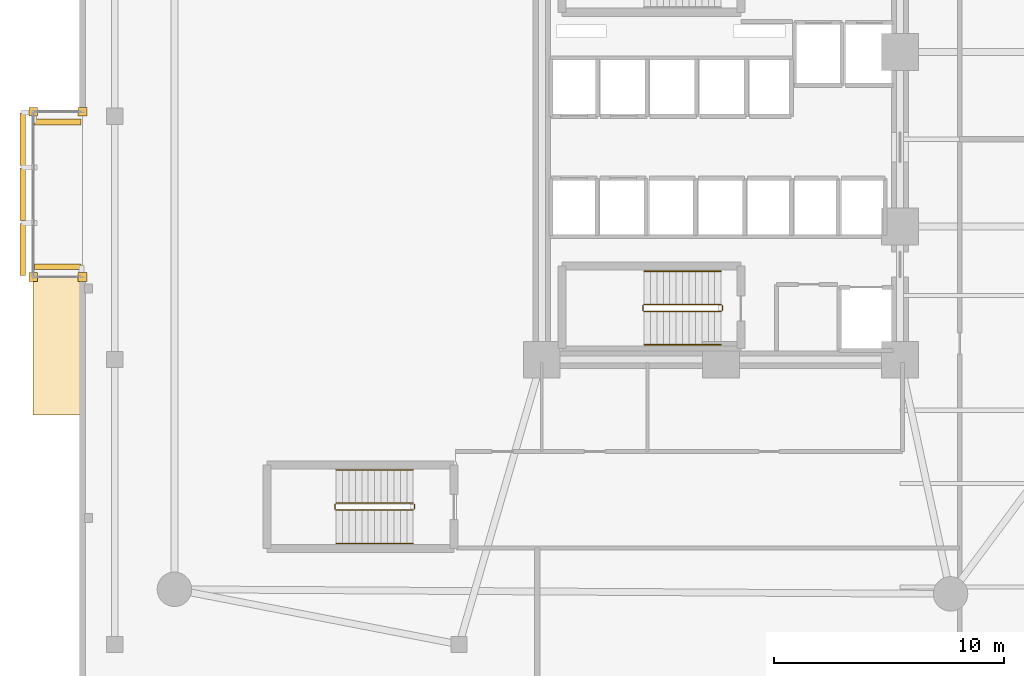
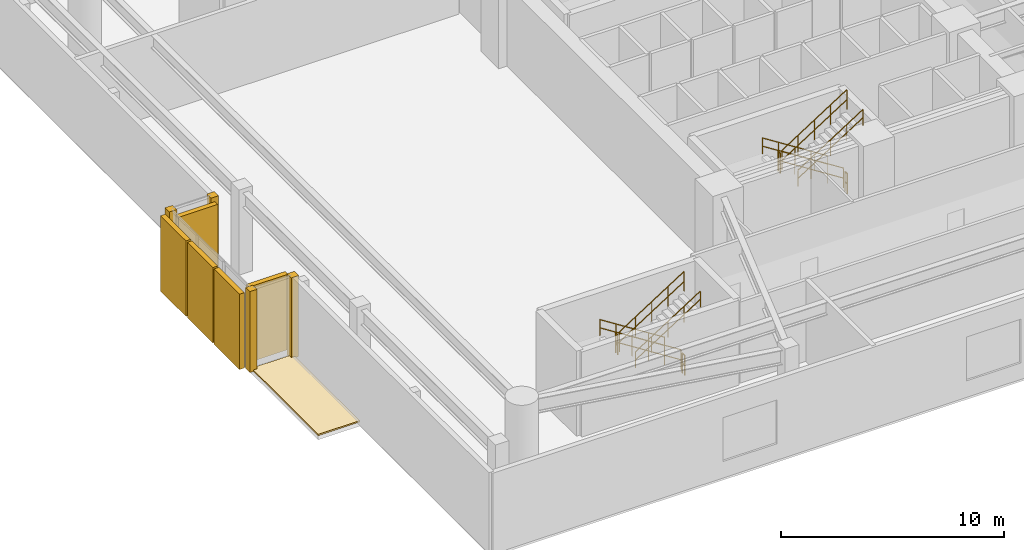
# One storey, part 14 of 16: 12 railings, 5 coverings, 5 shading devices.
"""IFC4 building model written with IfcOpenShell, lengths in metres."""

from ifc_helpers import new_model, si_unit, direction, frame, origin, origin_2d, place, context, subcontext, project, spatial, polyline, rectangle, circle, outline, extrude, material, layer, layer_set, type_object, element, save


model = new_model("IFC4")

# Units and contexts
model_context = context("Model", 3, precision=1e-05, world=origin(), true_north=direction((0.0, 1.0)))
body_context = subcontext(model_context, "Body", "Model", "MODEL_VIEW")
ifc_project = project(units=[si_unit("LENGTHUNIT", "METRE"), si_unit("AREAUNIT", "SQUARE_METRE"), si_unit("VOLUMEUNIT", "CUBIC_METRE"), si_unit("PLANEANGLEUNIT", "RADIAN"), si_unit("MASSUNIT", "GRAM", prefix="KILO")], contexts=[model_context])

# Site, building, storey
site_placement = place(None, origin())
site = spatial("IfcSite", under=ifc_project, at=site_placement, CompositionType="ELEMENT")
building_placement = place(site_placement, origin())
building = spatial("IfcBuilding", under=site, at=building_placement, Name="An Khanh Terracotta Commons", CompositionType="ELEMENT")
storey_placement = place(building_placement, frame((0.0, 0.0, 10.050048828125)))
storey = spatial("IfcBuildingStorey", under=building, at=storey_placement, Name="L03", CompositionType="ELEMENT", Elevation=10.050048828125)

# Coverings
ifc_material_1 = material(Name="Fired Terracotta Rainscreen Cladding", Category="masonry")
ifc_layer_1 = layer(ifc_material_1, 0.080078125, Name="Fired Terracotta Rainscreen Cladding")
ifc_layer_set_1 = layer_set([ifc_layer_1], Name="Fired Terracotta Rainscreen Cladding")
covering_type_1 = type_object("IfcCoveringType", Name="COV-JAMB-TERRA", PredefinedType="CLADDING", material=ifc_layer_set_1)
for number, where, z_axis, x_axis, name in (
    (1, (-0.550048828125, 25.199951171875, 0.0), (0.0, 0.0, 1.0), (1.0, 0.0, 0.0), "L03 CW-04 Curtain-Wall Jamb Closure JA"),
    (2, (-0.550048828125, 18.0, 0.0), (0.0, 0.0, 1.0), (1.0, 0.0, 0.0), "L03 CW-04 Curtain-Wall Jamb Closure JB"),
    (3, (1.60009765625, 18.0, 0.0), (0.0, 0.0, 1.0), (1.0, 0.0, 0.0), "L03 CW-04 Curtain-Wall Jamb Closure JA"),
    (4, (1.60009765625, 25.199951171875, 0.0), (0.0, 0.0, 1.0), (1.0, 0.0, 0.0), "L03 CW-04 Curtain-Wall Jamb Closure JB"),
):
    element("IfcCovering", number, at=place(storey_placement, frame(where, z_axis=z_axis, x_axis=x_axis)), inside=storey, type_object=covering_type_1, Name=name, PredefinedType="CLADDING", context=body_context, shape_type="SweptSolid", body=[
        extrude(rectangle(XDim=0.3798828125, YDim=0.3798828125, at=origin_2d()), origin(), (0.0, 0.0, 1.0), 4.429931640625),
    ])
ifc_material_2 = material(Name="Planted Garden Waterproofing Membrane")
ifc_layer_2 = layer(ifc_material_2, 0.080078125, Name="Planted Garden Waterproofing Membrane")
ifc_layer_set_2 = layer_set([ifc_layer_2], Name="Planted Garden Waterproofing Membrane")
covering_type_2 = type_object("IfcCoveringType", Name="COV-ROOFING-GREEN", PredefinedType="ROOFING", material=ifc_layer_set_2)
covering_placement = place(storey_placement, origin())
element("IfcCovering", 5, at=covering_placement, inside=storey, type_object=covering_type_2, Name="L03 Corner Box Roof Waterproofing (L02)", PredefinedType="ROOFING", context=body_context, shape_type="SweptSolid", body=[
    extrude(outline(polyline([(1.60009765625, 12.0), (-0.550048828125, 12.0), (-0.550048828125, 17.97998046875), (1.60009765625, 17.97998046875), (1.60009765625, 12.0)])), origin(), (0.0, 0.0, 1.0), 0.079833984375),
])

# Railings
ifc_material_3 = material(Name="Brushed Stainless Steel 316", Category="steel")
railing_type_1 = type_object("IfcRailingType", Name="RAIL-HANDRAIL-900", PredefinedType="HANDRAIL", material=ifc_material_3)
railing_1_placement = place(storey_placement, frame((29.409912109375, 18.25, 0.1787109375)))
element("IfcRailing", 6, at=railing_1_placement, inside=storey, type_object=railing_type_1, Name="L03 ST-02 stair handrail 1", PredefinedType="HANDRAIL", context=body_context, shape_type="SweptSolid", body=[
    extrude(circle(Radius=0.02392578125, at=origin_2d()), frame((0.0, 0.0, 0.8759765625), z_axis=(-0.842734844946, 0.0, 0.538328878209), x_axis=(0.0, -1.0, 0.0)), (0.0, 0.0, 1.0), 3.98681640625),
    extrude(circle(Radius=0.02392578125, at=origin_2d()), frame((0.0, 0.0, 0.42578125), z_axis=(-0.842734844946, 0.0, 0.538328878209), x_axis=(0.0, -1.0, 0.0)), (0.0, 0.0, 1.0), 3.98681640625),
    extrude(circle(Radius=0.02099609375, at=origin_2d()), origin(), (0.0, 0.0, 1.0), 0.851806640625),
    extrude(circle(Radius=0.02099609375, at=origin_2d()), frame((-0.83984375, 0.0, 0.53662109375)), (0.0, 0.0, 1.0), 0.851806640625),
    extrude(circle(Radius=0.02099609375, at=origin_2d()), frame((-1.679931640625, 0.0, 1.0732421875)), (0.0, 0.0, 1.0), 0.851806640625),
    extrude(circle(Radius=0.02099609375, at=origin_2d()), frame((-2.52001953125, 0.0, 1.609619140625)), (0.0, 0.0, 1.0), 0.851806640625),
    extrude(circle(Radius=0.02099609375, at=origin_2d()), frame((-3.35986328125, 0.0, 2.146240234375)), (0.0, 0.0, 1.0), 0.851806640625),
])
railing_2_placement = place(storey_placement, frame((26.050048828125, 15.050048828125, 2.50390625)))
element("IfcRailing", 7, at=railing_2_placement, inside=storey, type_object=railing_type_1, Name="L03 ST-02 stair handrail 2", PredefinedType="HANDRAIL", context=body_context, shape_type="SweptSolid", body=[
    extrude(circle(Radius=0.02392578125, at=origin_2d()), frame((0.0, 0.0, 0.8759765625), z_axis=(0.842762625749, 0.0, 0.538285385869), x_axis=(0.0, 1.0, 0.0)), (0.0, 0.0, 1.0), 3.98681640625),
    extrude(circle(Radius=0.02392578125, at=origin_2d()), frame((0.0, 0.0, 0.42578125), z_axis=(0.842762625749, 0.0, 0.538285385869), x_axis=(0.0, 1.0, 0.0)), (0.0, 0.0, 1.0), 3.98681640625),
    extrude(circle(Radius=0.02099609375, at=origin_2d()), origin(), (0.0, 0.0, 1.0), 0.851806640625),
    extrude(circle(Radius=0.02099609375, at=origin_2d()), frame((0.83984375, 0.0, 0.53662109375)), (0.0, 0.0, 1.0), 0.851806640625),
    extrude(circle(Radius=0.02099609375, at=origin_2d()), frame((1.679931640625, 0.0, 1.072998046875)), (0.0, 0.0, 1.0), 0.851806640625),
    extrude(circle(Radius=0.02099609375, at=origin_2d()), frame((2.52001953125, 0.0, 1.609375)), (0.0, 0.0, 1.0), 0.851806640625),
    extrude(circle(Radius=0.02099609375, at=origin_2d()), frame((3.35986328125, 0.0, 2.14599609375)), (0.0, 0.0, 1.0), 0.851806640625),
])
railing_3_placement = place(storey_placement, frame((16.0, 9.60009765625, 0.1787109375)))
element("IfcRailing", 8, at=railing_3_placement, inside=storey, type_object=railing_type_1, Name="L03 ST-P1 stair handrail 1", PredefinedType="HANDRAIL", context=body_context, shape_type="SweptSolid", body=[
    extrude(circle(Radius=0.02392578125, at=origin_2d()), frame((0.0, 0.0, 0.8759765625), z_axis=(-0.842752589747, 0.0, 0.538301098341), x_axis=(0.0, -1.0, 0.0)), (0.0, 0.0, 1.0), 3.987060546875),
    extrude(circle(Radius=0.02392578125, at=origin_2d()), frame((0.0, 0.0, 0.42578125), z_axis=(-0.842752589747, 0.0, 0.538301098341), x_axis=(0.0, -1.0, 0.0)), (0.0, 0.0, 1.0), 3.987060546875),
    extrude(circle(Radius=0.02099609375, at=origin_2d()), origin(), (0.0, 0.0, 1.0), 0.851806640625),
    extrude(circle(Radius=0.02099609375, at=origin_2d()), frame((-0.840087890625, 0.0, 0.53662109375)), (0.0, 0.0, 1.0), 0.851806640625),
    extrude(circle(Radius=0.02099609375, at=origin_2d()), frame((-1.68017578125, 0.0, 1.0732421875)), (0.0, 0.0, 1.0), 0.851806640625),
    extrude(circle(Radius=0.02099609375, at=origin_2d()), frame((-2.52001953125, 0.0, 1.609619140625)), (0.0, 0.0, 1.0), 0.851806640625),
    extrude(circle(Radius=0.02099609375, at=origin_2d()), frame((-3.360107421875, 0.0, 2.146240234375)), (0.0, 0.0, 1.0), 0.851806640625),
])
railing_4_placement = place(storey_placement, frame((12.639892578125, 6.39990234375, 2.50390625)))
element("IfcRailing", 9, at=railing_4_placement, inside=storey, type_object=railing_type_1, Name="L03 ST-P1 stair handrail 2", PredefinedType="HANDRAIL", context=body_context, shape_type="SweptSolid", body=[
    extrude(circle(Radius=0.02392578125, at=origin_2d()), frame((0.0, 0.0, 0.8759765625), z_axis=(0.842780368268, 0.0, 0.538257606414), x_axis=(0.0, 1.0, 0.0)), (0.0, 0.0, 1.0), 3.98681640625),
    extrude(circle(Radius=0.02392578125, at=origin_2d()), frame((0.0, 0.0, 0.42578125), z_axis=(0.842780368268, 0.0, 0.538257606414), x_axis=(0.0, 1.0, 0.0)), (0.0, 0.0, 1.0), 3.98681640625),
    extrude(circle(Radius=0.02099609375, at=origin_2d()), origin(), (0.0, 0.0, 1.0), 0.851806640625),
    extrude(circle(Radius=0.02099609375, at=origin_2d()), frame((0.840087890625, 0.0, 0.53662109375)), (0.0, 0.0, 1.0), 0.851806640625),
    extrude(circle(Radius=0.02099609375, at=origin_2d()), frame((1.68017578125, 0.0, 1.072998046875)), (0.0, 0.0, 1.0), 0.851806640625),
    extrude(circle(Radius=0.02099609375, at=origin_2d()), frame((2.52001953125, 0.0, 1.609375)), (0.0, 0.0, 1.0), 0.851806640625),
    extrude(circle(Radius=0.02099609375, at=origin_2d()), frame((3.360107421875, 0.0, 2.14599609375)), (0.0, 0.0, 1.0), 0.851806640625),
])
ifc_material_4 = material(Name="Powder-Coated Steel S355J2", Category="steel")
railing_type_2 = type_object("IfcRailingType", Name="RAIL-STAIR-GUARD-1100", PredefinedType="BALUSTRADE", material=ifc_material_4)
railing_5_placement = place(storey_placement, frame((29.409912109375, 16.800048828125, 0.1787109375)))
element("IfcRailing", 10, at=railing_5_placement, inside=storey, type_object=railing_type_2, Name="L03 ST-02 stair guard 1", PredefinedType="BALUSTRADE", context=body_context, shape_type="SweptSolid", body=[
    extrude(circle(Radius=0.02392578125, at=origin_2d()), frame((0.0, 0.0, 1.076171875), z_axis=(-0.842734844946, 0.0, 0.538328878209), x_axis=(0.0, -1.0, 0.0)), (0.0, 0.0, 1.0), 3.98681640625),
    extrude(circle(Radius=0.02392578125, at=origin_2d()), frame((0.0, 0.0, 0.52587890625), z_axis=(-0.842734844946, 0.0, 0.538328878209), x_axis=(0.0, -1.0, 0.0)), (0.0, 0.0, 1.0), 3.98681640625),
    extrude(circle(Radius=0.02099609375, at=origin_2d()), origin(), (0.0, 0.0, 1.0), 1.052001953125),
    extrude(circle(Radius=0.02099609375, at=origin_2d()), frame((-0.83984375, 0.0, 0.53662109375)), (0.0, 0.0, 1.0), 1.052001953125),
    extrude(circle(Radius=0.02099609375, at=origin_2d()), frame((-1.679931640625, 0.0, 1.0732421875)), (0.0, 0.0, 1.0), 1.052001953125),
    extrude(circle(Radius=0.02099609375, at=origin_2d()), frame((-2.52001953125, 0.0, 1.609619140625)), (0.0, 0.0, 1.0), 1.052001953125),
    extrude(circle(Radius=0.02099609375, at=origin_2d()), frame((-3.35986328125, 0.0, 2.146240234375)), (0.0, 0.0, 1.0), 1.052001953125),
])
railing_6_placement = place(storey_placement, frame((26.0, 16.75, 2.324951171875)))
element("IfcRailing", 11, at=railing_6_placement, inside=storey, type_object=railing_type_2, Name="L03 ST-02 stair guard 2", PredefinedType="BALUSTRADE", context=body_context, shape_type="SweptSolid", body=[
    extrude(circle(Radius=0.02392578125, at=origin_2d()), frame((0.0, 0.0, 1.076171875), z_axis=(0.0, -1.0, 0.0), x_axis=(1.0, 0.0, 0.0)), (0.0, 0.0, 1.0), 0.199951171875),
    extrude(circle(Radius=0.02392578125, at=origin_2d()), frame((0.0, 0.0, 0.52587890625), z_axis=(0.0, -1.0, 0.0), x_axis=(1.0, 0.0, 0.0)), (0.0, 0.0, 1.0), 0.199951171875),
    extrude(circle(Radius=0.02099609375, at=origin_2d()), origin(), (0.0, 0.0, 1.0), 1.052001953125),
    extrude(circle(Radius=0.02099609375, at=origin_2d()), frame((0.0, -0.199951171875, 0.0)), (0.0, 0.0, 1.0), 1.052001953125),
])
railing_7_placement = place(storey_placement, frame((26.050048828125, 16.5, 2.50390625)))
element("IfcRailing", 12, at=railing_7_placement, inside=storey, type_object=railing_type_2, Name="L03 ST-02 stair guard 3", PredefinedType="BALUSTRADE", context=body_context, shape_type="SweptSolid", body=[
    extrude(circle(Radius=0.02392578125, at=origin_2d()), frame((0.0, 0.0, 1.076171875), z_axis=(0.842762625749, 0.0, 0.538285385869), x_axis=(0.0, 1.0, 0.0)), (0.0, 0.0, 1.0), 3.98681640625),
    extrude(circle(Radius=0.02392578125, at=origin_2d()), frame((0.0, 0.0, 0.52587890625), z_axis=(0.842762625749, 0.0, 0.538285385869), x_axis=(0.0, 1.0, 0.0)), (0.0, 0.0, 1.0), 3.98681640625),
    extrude(circle(Radius=0.02099609375, at=origin_2d()), origin(), (0.0, 0.0, 1.0), 1.052001953125),
    extrude(circle(Radius=0.02099609375, at=origin_2d()), frame((0.83984375, 0.0, 0.53662109375)), (0.0, 0.0, 1.0), 1.052001953125),
    extrude(circle(Radius=0.02099609375, at=origin_2d()), frame((1.679931640625, 0.0, 1.072998046875)), (0.0, 0.0, 1.0), 1.052001953125),
    extrude(circle(Radius=0.02099609375, at=origin_2d()), frame((2.52001953125, 0.0, 1.609375)), (0.0, 0.0, 1.0), 1.052001953125),
    extrude(circle(Radius=0.02099609375, at=origin_2d()), frame((3.35986328125, 0.0, 2.14599609375)), (0.0, 0.0, 1.0), 1.052001953125),
])
railing_8_placement = place(storey_placement, frame((29.4599609375, 16.75, 0.0)))
element("IfcRailing", 13, at=railing_8_placement, inside=storey, type_object=railing_type_2, Name="L03 ST-02 stair guard 4", PredefinedType="BALUSTRADE", context=body_context, shape_type="SweptSolid", body=[
    extrude(circle(Radius=0.02392578125, at=origin_2d()), frame((0.0, 0.0, 1.076171875), z_axis=(0.0, -1.0, 0.0), x_axis=(1.0, 0.0, 0.0)), (0.0, 0.0, 1.0), 0.199951171875),
    extrude(circle(Radius=0.02392578125, at=origin_2d()), frame((0.0, 0.0, 0.52587890625), z_axis=(0.0, -1.0, 0.0), x_axis=(1.0, 0.0, 0.0)), (0.0, 0.0, 1.0), 0.199951171875),
    extrude(circle(Radius=0.02099609375, at=origin_2d()), origin(), (0.0, 0.0, 1.0), 1.052001953125),
    extrude(circle(Radius=0.02099609375, at=origin_2d()), frame((0.0, -0.199951171875, 0.0)), (0.0, 0.0, 1.0), 1.052001953125),
])
railing_9_placement = place(storey_placement, frame((16.0, 8.14990234375, 0.1787109375)))
element("IfcRailing", 14, at=railing_9_placement, inside=storey, type_object=railing_type_2, Name="L03 ST-P1 stair guard 1", PredefinedType="BALUSTRADE", context=body_context, shape_type="SweptSolid", body=[
    extrude(circle(Radius=0.02392578125, at=origin_2d()), frame((0.0, 0.0, 1.076171875), z_axis=(-0.842752589747, 0.0, 0.538301098341), x_axis=(0.0, -1.0, 0.0)), (0.0, 0.0, 1.0), 3.987060546875),
    extrude(circle(Radius=0.02392578125, at=origin_2d()), frame((0.0, 0.0, 0.52587890625), z_axis=(-0.842752589747, 0.0, 0.538301098341), x_axis=(0.0, -1.0, 0.0)), (0.0, 0.0, 1.0), 3.987060546875),
    extrude(circle(Radius=0.02099609375, at=origin_2d()), origin(), (0.0, 0.0, 1.0), 1.052001953125),
    extrude(circle(Radius=0.02099609375, at=origin_2d()), frame((-0.840087890625, 0.0, 0.53662109375)), (0.0, 0.0, 1.0), 1.052001953125),
    extrude(circle(Radius=0.02099609375, at=origin_2d()), frame((-1.68017578125, 0.0, 1.0732421875)), (0.0, 0.0, 1.0), 1.052001953125),
    extrude(circle(Radius=0.02099609375, at=origin_2d()), frame((-2.52001953125, 0.0, 1.609619140625)), (0.0, 0.0, 1.0), 1.052001953125),
    extrude(circle(Radius=0.02099609375, at=origin_2d()), frame((-3.360107421875, 0.0, 2.146240234375)), (0.0, 0.0, 1.0), 1.052001953125),
])
railing_10_placement = place(storey_placement, frame((12.590087890625, 8.10009765625, 2.324951171875)))
element("IfcRailing", 15, at=railing_10_placement, inside=storey, type_object=railing_type_2, Name="L03 ST-P1 stair guard 2", PredefinedType="BALUSTRADE", context=body_context, shape_type="SweptSolid", body=[
    extrude(circle(Radius=0.02392578125, at=origin_2d()), frame((0.0, 0.0, 1.076171875), z_axis=(0.0, -1.0, 0.0), x_axis=(1.0, 0.0, 0.0)), (0.0, 0.0, 1.0), 0.2001953125),
    extrude(circle(Radius=0.02392578125, at=origin_2d()), frame((0.0, 0.0, 0.52587890625), z_axis=(0.0, -1.0, 0.0), x_axis=(1.0, 0.0, 0.0)), (0.0, 0.0, 1.0), 0.2001953125),
    extrude(circle(Radius=0.02099609375, at=origin_2d()), origin(), (0.0, 0.0, 1.0), 1.052001953125),
    extrude(circle(Radius=0.02099609375, at=origin_2d()), frame((0.0, -0.2001953125, 0.0)), (0.0, 0.0, 1.0), 1.052001953125),
])
railing_11_placement = place(storey_placement, frame((12.639892578125, 7.85009765625, 2.50390625)))
element("IfcRailing", 16, at=railing_11_placement, inside=storey, type_object=railing_type_2, Name="L03 ST-P1 stair guard 3", PredefinedType="BALUSTRADE", context=body_context, shape_type="SweptSolid", body=[
    extrude(circle(Radius=0.02392578125, at=origin_2d()), frame((0.0, 0.0, 1.076171875), z_axis=(0.842780368268, 0.0, 0.538257606414), x_axis=(0.0, 1.0, 0.0)), (0.0, 0.0, 1.0), 3.98681640625),
    extrude(circle(Radius=0.02392578125, at=origin_2d()), frame((0.0, 0.0, 0.52587890625), z_axis=(0.842780368268, 0.0, 0.538257606414), x_axis=(0.0, 1.0, 0.0)), (0.0, 0.0, 1.0), 3.98681640625),
    extrude(circle(Radius=0.02099609375, at=origin_2d()), origin(), (0.0, 0.0, 1.0), 1.052001953125),
    extrude(circle(Radius=0.02099609375, at=origin_2d()), frame((0.840087890625, 0.0, 0.53662109375)), (0.0, 0.0, 1.0), 1.052001953125),
    extrude(circle(Radius=0.02099609375, at=origin_2d()), frame((1.68017578125, 0.0, 1.072998046875)), (0.0, 0.0, 1.0), 1.052001953125),
    extrude(circle(Radius=0.02099609375, at=origin_2d()), frame((2.52001953125, 0.0, 1.609375)), (0.0, 0.0, 1.0), 1.052001953125),
    extrude(circle(Radius=0.02099609375, at=origin_2d()), frame((3.360107421875, 0.0, 2.14599609375)), (0.0, 0.0, 1.0), 1.052001953125),
])
railing_12_placement = place(storey_placement, frame((16.050048828125, 8.10009765625, 0.0)))
element("IfcRailing", 17, at=railing_12_placement, inside=storey, type_object=railing_type_2, Name="L03 ST-P1 stair guard 4", PredefinedType="BALUSTRADE", context=body_context, shape_type="SweptSolid", body=[
    extrude(circle(Radius=0.02392578125, at=origin_2d()), frame((0.0, 0.0, 1.076171875), z_axis=(0.0, -1.0, 0.0), x_axis=(1.0, 0.0, 0.0)), (0.0, 0.0, 1.0), 0.2001953125),
    extrude(circle(Radius=0.02392578125, at=origin_2d()), frame((0.0, 0.0, 0.52587890625), z_axis=(0.0, -1.0, 0.0), x_axis=(1.0, 0.0, 0.0)), (0.0, 0.0, 1.0), 0.2001953125),
    extrude(circle(Radius=0.02099609375, at=origin_2d()), origin(), (0.0, 0.0, 1.0), 1.052001953125),
    extrude(circle(Radius=0.02099609375, at=origin_2d()), frame((0.0, -0.2001953125, 0.0)), (0.0, 0.0, 1.0), 1.052001953125),
])

# Shading devices
ifc_material_5 = material(Name="Warm Hardwood Timber-Finish Aluminium", Category="wood")
shading_device_type = type_object("IfcShadingDeviceType", Name="Shifted Box Timber-Toned Louvre Screen", PredefinedType="USERDEFINED", material=ifc_material_5)
for number, where, z_axis, x_axis, name in (
    (18, (-1.0, 24.0, 0.14990234375), (0.0, 0.0, 1.0), (0.0, -1.0, 0.0), "L03 Louvre Screen 1"),
    (19, (-1.0, 21.60009765625, 0.14990234375), (0.0, 0.0, 1.0), (0.0, -1.0, 0.0), "L03 Louvre Screen 2"),
    (20, (-1.0, 19.199951171875, 0.14990234375), (0.0, 0.0, 1.0), (0.0, -1.0, 0.0), "L03 Louvre Screen 3"),
):
    element("IfcShadingDevice", number, at=place(storey_placement, frame(where, z_axis=z_axis, x_axis=x_axis)), inside=storey, type_object=shading_device_type, Name=name, ObjectType="LOUVRE", PredefinedType="USERDEFINED", context=body_context, shape_type="SweptSolid", body=[
        extrude(rectangle(XDim=2.280029296875, YDim=0.25, at=origin_2d()), origin(), (0.0, 0.0, 1.0), 4.1298828125),
    ])
for number, where, z_axis, x_axis, name in (
    (21, (0.52490234375, 18.449951171875, 0.14990234375), (0.0, 0.0, 1.0), (-1.0, 0.0, 0.0), "L03 Louvre Screen 1"),
    (22, (0.52490234375, 24.75, 0.14990234375), (0.0, 0.0, 1.0), (1.0, 0.0, 0.0), "L03 Louvre Screen 1"),
):
    element("IfcShadingDevice", number, at=place(storey_placement, frame(where, z_axis=z_axis, x_axis=x_axis)), inside=storey, type_object=shading_device_type, Name=name, ObjectType="LOUVRE", PredefinedType="USERDEFINED", context=body_context, shape_type="SweptSolid", body=[
        extrude(rectangle(XDim=2.030029296875, YDim=0.25, at=origin_2d()), origin(), (0.0, 0.0, 1.0), 4.1298828125),
    ])

save(model, "model.ifc")
